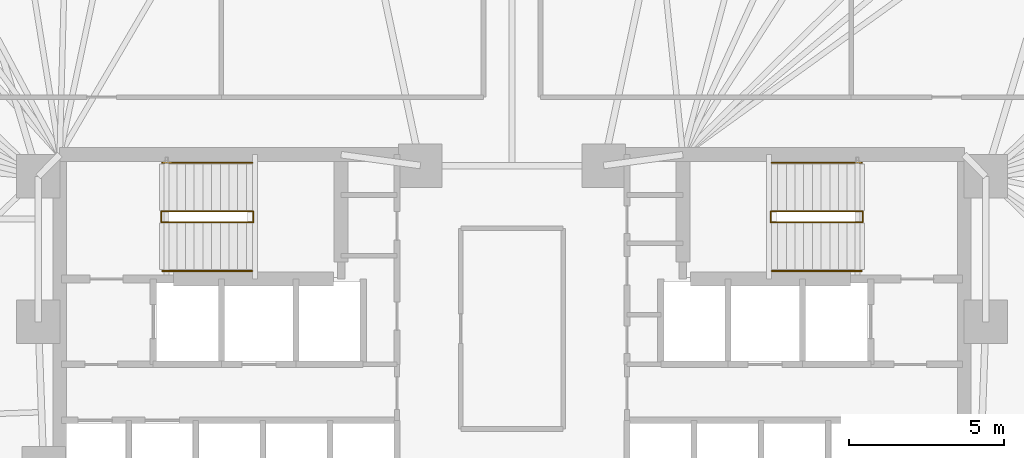
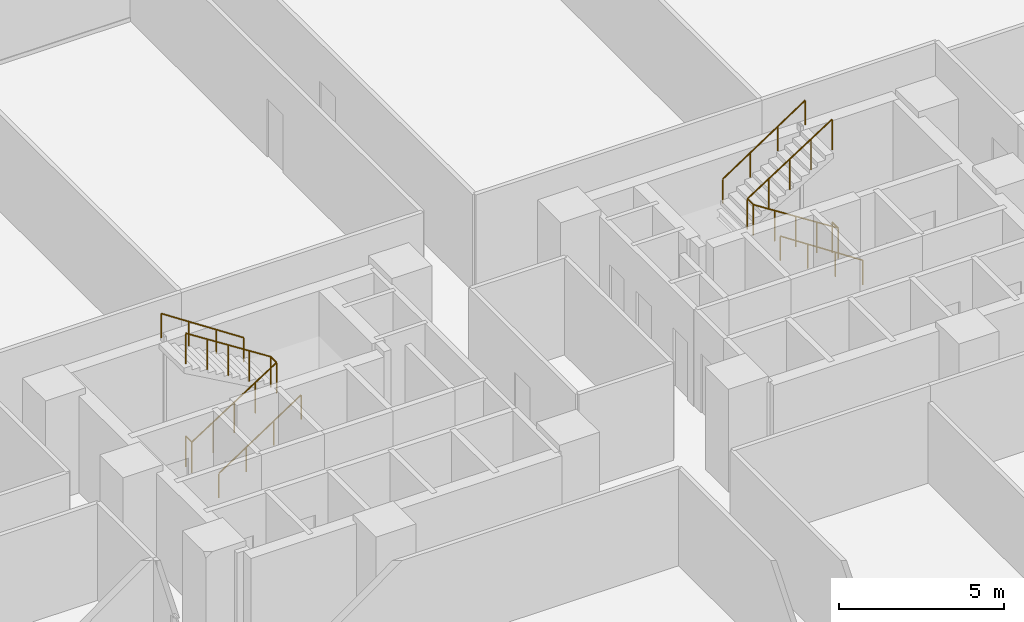
# One storey, part 17 of 17: 6 railings.
"""IFC4 building model written with IfcOpenShell, lengths in metres."""

from ifc_helpers import new_model, si_unit, direction, frame, origin, origin_2d, place, context, subcontext, project, spatial, circle, extrude, material, type_object, element, save


model = new_model("IFC4")

# Units and contexts
model_context = context("Model", 3, precision=1e-05, world=origin(), true_north=direction((0.0, 1.0)))
body_context = subcontext(model_context, "Body", "Model", "MODEL_VIEW")
ifc_project = project(units=[si_unit("LENGTHUNIT", "METRE"), si_unit("AREAUNIT", "SQUARE_METRE"), si_unit("VOLUMEUNIT", "CUBIC_METRE"), si_unit("PLANEANGLEUNIT", "RADIAN"), si_unit("MASSUNIT", "GRAM", prefix="KILO")], contexts=[model_context])

# Site, building, storey
site_placement = place(None, origin())
site = spatial("IfcSite", under=ifc_project, at=site_placement, CompositionType="ELEMENT")
building_placement = place(site_placement, origin())
building = spatial("IfcBuilding", under=site, at=building_placement, Name="Menara Jurai Vektor", CompositionType="ELEMENT")
storey_placement = place(building_placement, frame((0.0, 0.0, 48.39990234375)))
storey = spatial("IfcBuildingStorey", under=building, at=storey_placement, Name="L11", CompositionType="ELEMENT", Elevation=48.39990234375)

# Railings
ifc_material_1 = material(Name="Painted Galvanised Steel Balustrade", Category="steel")
railing_type_1 = type_object("IfcRailingType", Name="RAIL-STAIR-GUARD", PredefinedType="GUARDRAIL", material=ifc_material_1)
railing_1_placement = place(storey_placement, frame((-11.2900390625, 3.780029296875, 0.0)))
element("IfcRailing", 1, at=railing_1_placement, inside=storey, type_object=railing_type_1, Name="ST1 Stair Guardrail 1 L11", PredefinedType="GUARDRAIL", context=body_context, shape_type="SweptSolid", body=[
    extrude(circle(Radius=0.02392578125, at=origin_2d()), frame((0.0, 0.0, 1.1259765625), z_axis=(0.0, -1.0, 0.0), x_axis=(1.0, 0.0, 0.0)), (0.0, 0.0, 1.0), 0.360107421875),
    extrude(circle(Radius=0.02392578125, at=origin_2d()), frame((0.0, -0.360107421875, 1.1259765625), z_axis=(0.841525601958, 0.0, 0.540217235239), x_axis=(0.0, 1.0, 0.0)), (0.0, 0.0, 1.0), 3.517333984375),
    extrude(circle(Radius=0.02392578125, at=origin_2d()), frame((2.9599609375, -0.360107421875, 3.02587890625), z_axis=(0.0, 1.0, 0.0), x_axis=(-1.0, 0.0, 0.0)), (0.0, 0.0, 1.0), 0.360107421875),
    extrude(circle(Radius=0.02392578125, at=origin_2d()), frame((2.9599609375, 0.0, 3.02587890625), z_axis=(-0.841557155905, 0.0, 0.540168078791), x_axis=(0.0, -1.0, 0.0)), (0.0, 0.0, 1.0), 3.517333984375),
    extrude(circle(Radius=0.02099609375, at=origin_2d()), origin(), (0.0, 0.0, 1.0), 1.101806640625),
    extrude(circle(Radius=0.02099609375, at=origin_2d()), frame((0.0, -0.360107421875, 0.0)), (0.0, 0.0, 1.0), 1.101806640625),
    extrude(circle(Radius=0.02099609375, at=origin_2d()), frame((0.739990234375, -0.360107421875, 0.47509765625)), (0.0, 0.0, 1.0), 1.101806640625),
    extrude(circle(Radius=0.02099609375, at=origin_2d()), frame((1.47998046875, -0.360107421875, 0.9501953125)), (0.0, 0.0, 1.0), 1.101806640625),
    extrude(circle(Radius=0.02099609375, at=origin_2d()), frame((2.219970703125, -0.360107421875, 1.425048828125)), (0.0, 0.0, 1.0), 1.101806640625),
    extrude(circle(Radius=0.02099609375, at=origin_2d()), frame((2.9599609375, -0.360107421875, 1.900146484375)), (0.0, 0.0, 1.0), 1.101806640625),
    extrude(circle(Radius=0.02099609375, at=origin_2d()), frame((2.9599609375, 0.0, 1.900146484375)), (0.0, 0.0, 1.0), 1.101806640625),
    extrude(circle(Radius=0.02099609375, at=origin_2d()), frame((2.219970703125, 0.0, 2.375)), (0.0, 0.0, 1.0), 1.101806640625),
    extrude(circle(Radius=0.02099609375, at=origin_2d()), frame((1.47998046875, 0.0, 2.85009765625)), (0.0, 0.0, 1.0), 1.101806640625),
    extrude(circle(Radius=0.02099609375, at=origin_2d()), frame((0.739990234375, 0.0, 3.3251953125)), (0.0, 0.0, 1.0), 1.101806640625),
    extrude(circle(Radius=0.02099609375, at=origin_2d()), frame((0.0, 0.0, 3.800048828125)), (0.0, 0.0, 1.0), 1.101806640625),
])
railing_2_placement = place(storey_placement, frame((11.2900390625, 3.780029296875, 0.0)))
element("IfcRailing", 2, at=railing_2_placement, inside=storey, type_object=railing_type_1, Name="ST2 Stair Guardrail 1 L11", PredefinedType="GUARDRAIL", context=body_context, shape_type="SweptSolid", body=[
    extrude(circle(Radius=0.02392578125, at=origin_2d()), frame((0.0, 0.0, 1.1259765625), z_axis=(0.0, -1.0, 0.0), x_axis=(1.0, 0.0, 0.0)), (0.0, 0.0, 1.0), 0.360107421875),
    extrude(circle(Radius=0.02392578125, at=origin_2d()), frame((0.0, -0.360107421875, 1.1259765625), z_axis=(-0.841525601958, 0.0, 0.540217235239), x_axis=(0.0, -1.0, 0.0)), (0.0, 0.0, 1.0), 3.517333984375),
    extrude(circle(Radius=0.02392578125, at=origin_2d()), frame((-2.9599609375, -0.360107421875, 3.02587890625), z_axis=(0.0, 1.0, 0.0), x_axis=(-1.0, 0.0, 0.0)), (0.0, 0.0, 1.0), 0.360107421875),
    extrude(circle(Radius=0.02392578125, at=origin_2d()), frame((-2.9599609375, 0.0, 3.02587890625), z_axis=(0.841557155905, 0.0, 0.540168078791), x_axis=(0.0, 1.0, 0.0)), (0.0, 0.0, 1.0), 3.517333984375),
    extrude(circle(Radius=0.02099609375, at=origin_2d()), origin(), (0.0, 0.0, 1.0), 1.101806640625),
    extrude(circle(Radius=0.02099609375, at=origin_2d()), frame((0.0, -0.360107421875, 0.0)), (0.0, 0.0, 1.0), 1.101806640625),
    extrude(circle(Radius=0.02099609375, at=origin_2d()), frame((-0.739990234375, -0.360107421875, 0.47509765625)), (0.0, 0.0, 1.0), 1.101806640625),
    extrude(circle(Radius=0.02099609375, at=origin_2d()), frame((-1.47998046875, -0.360107421875, 0.9501953125)), (0.0, 0.0, 1.0), 1.101806640625),
    extrude(circle(Radius=0.02099609375, at=origin_2d()), frame((-2.219970703125, -0.360107421875, 1.425048828125)), (0.0, 0.0, 1.0), 1.101806640625),
    extrude(circle(Radius=0.02099609375, at=origin_2d()), frame((-2.9599609375, -0.360107421875, 1.900146484375)), (0.0, 0.0, 1.0), 1.101806640625),
    extrude(circle(Radius=0.02099609375, at=origin_2d()), frame((-2.9599609375, 0.0, 1.900146484375)), (0.0, 0.0, 1.0), 1.101806640625),
    extrude(circle(Radius=0.02099609375, at=origin_2d()), frame((-2.219970703125, 0.0, 2.375)), (0.0, 0.0, 1.0), 1.101806640625),
    extrude(circle(Radius=0.02099609375, at=origin_2d()), frame((-1.47998046875, 0.0, 2.85009765625)), (0.0, 0.0, 1.0), 1.101806640625),
    extrude(circle(Radius=0.02099609375, at=origin_2d()), frame((-0.739990234375, 0.0, 3.3251953125)), (0.0, 0.0, 1.0), 1.101806640625),
    extrude(circle(Radius=0.02099609375, at=origin_2d()), frame((0.0, 0.0, 3.800048828125)), (0.0, 0.0, 1.0), 1.101806640625),
])
ifc_material_2 = material(Name="Brushed Stainless Steel Handrail", Category="steel")
railing_type_2 = type_object("IfcRailingType", Name="RAIL-STAIR-HAND", PredefinedType="HANDRAIL", material=ifc_material_2)
railing_3_placement = place(storey_placement, frame((-11.25, 1.860107421875, 0.0)))
element("IfcRailing", 3, at=railing_3_placement, inside=storey, type_object=railing_type_2, Name="ST1 Stair Handrail 1 L11", PredefinedType="HANDRAIL", context=body_context, shape_type="SweptSolid", body=[
    extrude(circle(Radius=0.02392578125, at=origin_2d()), frame((0.0, 0.0, 0.89599609375), z_axis=(0.834686171885, 0.0, 0.550725879602), x_axis=(0.0, 1.0, 0.0)), (0.0, 0.0, 1.0), 3.4501953125),
    extrude(circle(Radius=0.02099609375, at=origin_2d()), origin(), (0.0, 0.0, 1.0), 0.871826171875),
    extrude(circle(Radius=0.02099609375, at=origin_2d()), frame((0.9599609375, 0.0, 0.63330078125)), (0.0, 0.0, 1.0), 0.871826171875),
    extrude(circle(Radius=0.02099609375, at=origin_2d()), frame((1.919921875, 0.0, 1.266845703125)), (0.0, 0.0, 1.0), 0.871826171875),
    extrude(circle(Radius=0.02099609375, at=origin_2d()), frame((2.8798828125, 0.0, 1.900146484375)), (0.0, 0.0, 1.0), 0.871826171875),
])
railing_4_placement = place(storey_placement, frame((-8.3701171875, 5.340087890625, 1.900146484375)))
element("IfcRailing", 4, at=railing_4_placement, inside=storey, type_object=railing_type_2, Name="ST1 Stair Handrail 2 L11", PredefinedType="HANDRAIL", context=body_context, shape_type="SweptSolid", body=[
    extrude(circle(Radius=0.02392578125, at=origin_2d()), frame((0.0, 0.0, 0.89599609375), z_axis=(-0.834718698933, 0.0, 0.550676578085), x_axis=(0.0, -1.0, 0.0)), (0.0, 0.0, 1.0), 3.4501953125),
    extrude(circle(Radius=0.02099609375, at=origin_2d()), origin(), (0.0, 0.0, 1.0), 0.871826171875),
    extrude(circle(Radius=0.02099609375, at=origin_2d()), frame((-0.9599609375, 0.0, 0.63330078125)), (0.0, 0.0, 1.0), 0.871826171875),
    extrude(circle(Radius=0.02099609375, at=origin_2d()), frame((-1.919921875, 0.0, 1.2666015625)), (0.0, 0.0, 1.0), 0.871826171875),
    extrude(circle(Radius=0.02099609375, at=origin_2d()), frame((-2.8798828125, 0.0, 1.89990234375)), (0.0, 0.0, 1.0), 0.871826171875),
])
railing_5_placement = place(storey_placement, frame((11.25, 1.860107421875, 0.0)))
element("IfcRailing", 5, at=railing_5_placement, inside=storey, type_object=railing_type_2, Name="ST2 Stair Handrail 1 L11", PredefinedType="HANDRAIL", context=body_context, shape_type="SweptSolid", body=[
    extrude(circle(Radius=0.02392578125, at=origin_2d()), frame((0.0, 0.0, 0.89599609375), z_axis=(-0.834686171885, 0.0, 0.550725879602), x_axis=(0.0, -1.0, 0.0)), (0.0, 0.0, 1.0), 3.4501953125),
    extrude(circle(Radius=0.02099609375, at=origin_2d()), origin(), (0.0, 0.0, 1.0), 0.871826171875),
    extrude(circle(Radius=0.02099609375, at=origin_2d()), frame((-0.9599609375, 0.0, 0.63330078125)), (0.0, 0.0, 1.0), 0.871826171875),
    extrude(circle(Radius=0.02099609375, at=origin_2d()), frame((-1.919921875, 0.0, 1.266845703125)), (0.0, 0.0, 1.0), 0.871826171875),
    extrude(circle(Radius=0.02099609375, at=origin_2d()), frame((-2.8798828125, 0.0, 1.900146484375)), (0.0, 0.0, 1.0), 0.871826171875),
])
railing_6_placement = place(storey_placement, frame((8.3701171875, 5.340087890625, 1.900146484375)))
element("IfcRailing", 6, at=railing_6_placement, inside=storey, type_object=railing_type_2, Name="ST2 Stair Handrail 2 L11", PredefinedType="HANDRAIL", context=body_context, shape_type="SweptSolid", body=[
    extrude(circle(Radius=0.02392578125, at=origin_2d()), frame((0.0, 0.0, 0.89599609375), z_axis=(0.834718698933, 0.0, 0.550676578085), x_axis=(0.0, 1.0, 0.0)), (0.0, 0.0, 1.0), 3.4501953125),
    extrude(circle(Radius=0.02099609375, at=origin_2d()), origin(), (0.0, 0.0, 1.0), 0.871826171875),
    extrude(circle(Radius=0.02099609375, at=origin_2d()), frame((0.9599609375, 0.0, 0.63330078125)), (0.0, 0.0, 1.0), 0.871826171875),
    extrude(circle(Radius=0.02099609375, at=origin_2d()), frame((1.919921875, 0.0, 1.2666015625)), (0.0, 0.0, 1.0), 0.871826171875),
    extrude(circle(Radius=0.02099609375, at=origin_2d()), frame((2.8798828125, 0.0, 1.89990234375)), (0.0, 0.0, 1.0), 0.871826171875),
])

save(model, "model.ifc")
